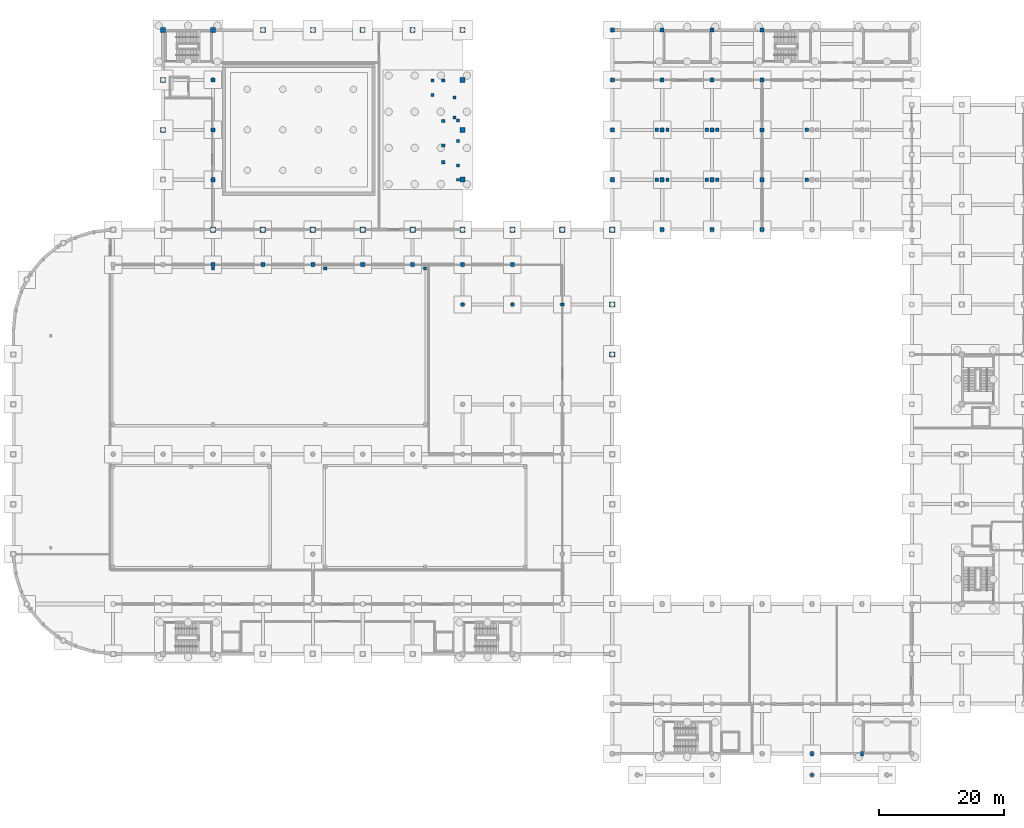
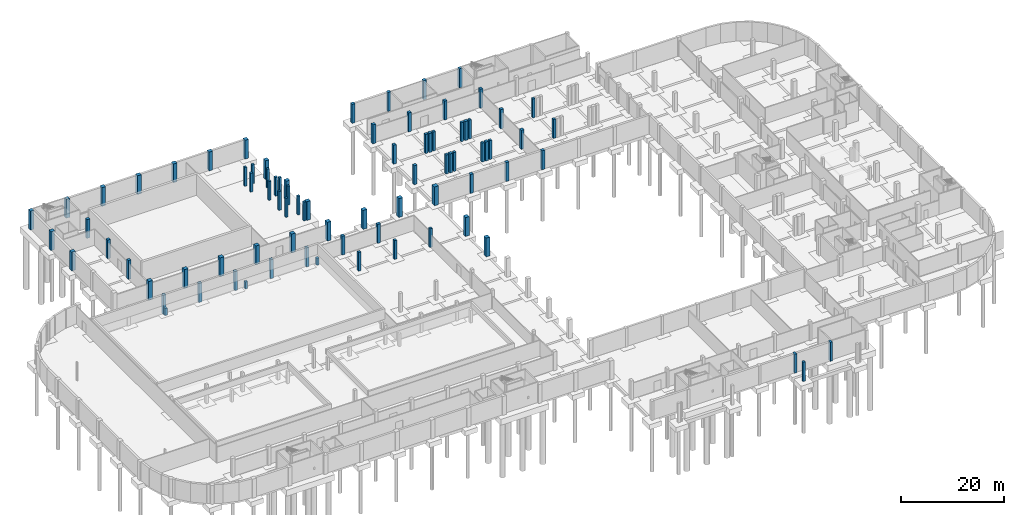
# One storey, part 12 of 29: 83 columns.
"""IFC4 building model written with IfcOpenShell, lengths in metres."""

from ifc_helpers import new_model, si_unit, direction, frame, origin, origin_2d, place, context, subcontext, project, spatial, rectangle, extrude, material, material_profile, profile_set, type_object, element, save


model = new_model("IFC4")

# Units and contexts
model_context = context("Model", 3, precision=1e-05, world=origin(), true_north=direction((0.0, 1.0)))
body_context = subcontext(model_context, "Body", "Model", "MODEL_VIEW")
ifc_project = project(units=[si_unit("LENGTHUNIT", "METRE"), si_unit("AREAUNIT", "SQUARE_METRE"), si_unit("VOLUMEUNIT", "CUBIC_METRE"), si_unit("PLANEANGLEUNIT", "RADIAN"), si_unit("MASSUNIT", "GRAM", prefix="KILO")], contexts=[model_context])

# Site, building, storey
site_placement = place(None, origin())
site = spatial("IfcSite", under=ifc_project, at=site_placement, CompositionType="ELEMENT")
building_placement = place(site_placement, origin())
building = spatial("IfcBuilding", under=site, at=building_placement, Name="Drelvana Railside Aquatics Centre", CompositionType="ELEMENT")
storey_placement = place(building_placement, frame((0.0, 0.0, -4.800048828125)))
storey = spatial("IfcBuildingStorey", under=building, at=storey_placement, Name="B1", CompositionType="ELEMENT", Elevation=-4.800048828125)

# Columns
ifc_material = material(Name="Concrete C40/50", Category="concrete")
ifc_material_profile_1 = material_profile(ifc_material, rectangle(XDim=0.449951171875, YDim=0.449951171875, at=origin_2d()), Name="RC 450x450")
ifc_profile_set_1 = profile_set([ifc_material_profile_1], Name="Concrete C40/50")
column_type_1 = type_object("IfcColumnType", Name="STR-COL-RC-450x450", PredefinedType="COLUMN", material=ifc_profile_set_1)
for number, where, z_axis, x_axis, name in (
    (1, (71.25, 92.0, 0.0), (0.0, 0.0, 1.0), (1.0, 0.0, 0.0), "Diving stair east carrier column 92.0 (B1)"),
    (2, (71.25, 94.300048828125, 0.0), (0.0, 0.0, 1.0), (1.0, 0.0, 0.0), "Diving stair east carrier column 94.3 (B1)"),
    (3, (71.25, 98.199951171875, 0.0), (0.0, 0.0, 1.0), (1.0, 0.0, 0.0), "Diving stair east carrier column 98.2 (B1)"),
    (4, (71.25, 101.5, 0.0), (0.0, 0.0, 1.0), (1.0, 0.0, 0.0), "Diving stair east carrier column 101.5 (B1)"),
):
    element("IfcColumn", number, at=place(storey_placement, frame(where, z_axis=z_axis, x_axis=x_axis)), inside=storey, type_object=column_type_1, Name=name, PredefinedType="COLUMN", context=body_context, shape_type="SweptSolid", body=[
        extrude(rectangle(XDim=0.449951171875, YDim=0.449951171875, at=origin_2d()), origin(), (0.0, 0.0, 1.0), 4.469970703125),
    ])
ifc_material_profile_2 = material_profile(ifc_material, rectangle(XDim=0.5, YDim=0.5, at=origin_2d()), Name="RC 500x500")
ifc_profile_set_2 = profile_set([ifc_material_profile_2], Name="Concrete C40/50")
column_type_2 = type_object("IfcColumnType", Name="STR-COL-RC-500x500", PredefinedType="COLUMN", material=ifc_profile_set_2)
for number, where, z_axis, x_axis, name in (
    (5, (67.199951171875, 105.60009765625, 0.0), (0.0, 0.0, 1.0), (1.0, 0.0, 0.0), "Column C-02 (B1)"),
    (6, (67.199951171875, 107.89990234375, 0.0), (0.0, 0.0, 1.0), (1.0, 0.0, 0.0), "Column C-02 (B1)"),
    (7, (68.89990234375, 101.39990234375, 0.0), (0.0, 0.0, 1.0), (1.0, 0.0, 0.0), "Column C-02 (B1)"),
    (8, (68.89990234375, 107.89990234375, 0.0), (0.0, 0.0, 1.0), (1.0, 0.0, 0.0), "Column C-02 (B1)"),
    (9, (68.89990234375, 94.800048828125, 0.0), (0.0, 0.0, 1.0), (1.0, 0.0, 0.0), "Column C-02 (B1)"),
    (10, (68.89990234375, 97.5, 0.0), (0.0, 0.0, 1.0), (1.0, 0.0, 0.0), "Column C-02 (B1)"),
    (11, (70.699951171875, 102.0, 0.0), (0.0, 0.0, 1.0), (1.0, 0.0, 0.0), "Column C-02 (B1)"),
    (12, (70.699951171875, 105.199951171875, 0.0), (0.0, 0.0, 1.0), (1.0, 0.0, 0.0), "Column C-02 (B1)"),
):
    element("IfcColumn", number, at=place(storey_placement, frame(where, z_axis=z_axis, x_axis=x_axis)), inside=storey, type_object=column_type_2, Name=name, PredefinedType="COLUMN", context=body_context, shape_type="SweptSolid", body=[
        extrude(rectangle(XDim=0.5, YDim=0.5, at=origin_2d()), origin(), (0.0, 0.0, 1.0), 4.469970703125),
    ])
column_placement = place(storey_placement, frame((128.0, -3.39990234375, 0.0), z_axis=(0.0, 0.0, 1.0), x_axis=(1.0, 0.0, 0.0)))
element("IfcColumn", 13, at=column_placement, inside=storey, type_object=column_type_2, Name="Column C-02 (B1)", PredefinedType="COLUMN", context=body_context, shape_type="SweptSolid", body=[
    extrude(rectangle(XDim=0.5, YDim=0.5, at=origin_2d()), origin(), (0.0, 0.0, 1.0), 4.590087890625),
])
for number, where, z_axis, x_axis, name in (
    (14, (32.0, 77.800048828125, 0.0), (0.0, 0.0, 1.0), (1.0, 0.0, 0.0), "Competition Pool support pier 4"),
    (15, (50.0, 77.800048828125, 0.0), (0.0, 0.0, 1.0), (1.0, 0.0, 0.0), "Competition Pool support pier 6"),
    (16, (66.0, 77.800048828125, 0.0), (0.0, 0.0, 1.0), (1.0, 0.0, 0.0), "Competition Pool support pier 8"),
):
    element("IfcColumn", number, at=place(storey_placement, frame(where, z_axis=z_axis, x_axis=x_axis)), inside=storey, type_object=column_type_2, Name=name, PredefinedType="COLUMN", context=body_context, shape_type="SweptSolid", body=[
        extrude(rectangle(XDim=0.5, YDim=0.5, at=origin_2d()), origin(), (0.0, 0.0, 1.0), 1.650146484375),
    ])
ifc_material_profile_3 = material_profile(ifc_material, rectangle(XDim=0.5, YDim=0.75, at=origin_2d()), Name="RC 500x750")
ifc_profile_set_3 = profile_set([ifc_material_profile_3], Name="Concrete C40/50")
column_type_3 = type_object("IfcColumnType", Name="STR-COL-RC-500x750", PredefinedType="COLUMN", material=ifc_profile_set_3)
for number, where, z_axis, x_axis, name in (
    (17, (128.0, 0.0, 0.0), (0.0, 0.0, 1.0), (1.0, 0.0, 0.0), "Column C-12 (B1)"),
    (18, (136.0, 0.0, 0.0), (0.0, 0.0, 1.0), (1.0, 0.0, 0.0), "Column C-12 (B1)"),
):
    element("IfcColumn", number, at=place(storey_placement, frame(where, z_axis=z_axis, x_axis=x_axis)), inside=storey, type_object=column_type_3, Name=name, PredefinedType="COLUMN", context=body_context, shape_type="SweptSolid", body=[
        extrude(rectangle(XDim=0.5, YDim=0.75, at=origin_2d()), origin(), (0.0, 0.0, 1.0), 4.5),
    ])
ifc_material_profile_4 = material_profile(ifc_material, rectangle(XDim=0.550048828125, YDim=0.550048828125, at=origin_2d()), Name="RC 550x550")
ifc_profile_set_4 = profile_set([ifc_material_profile_4], Name="Concrete C40/50")
column_type_4 = type_object("IfcColumnType", Name="STR-COL-RC-550x550", PredefinedType="COLUMN", material=ifc_profile_set_4)
for number, where, z_axis, x_axis, name in (
    (19, (72.0, 72.0, 0.0), (0.0, 0.0, 1.0), (1.0, 0.0, 0.0), "Column C-03 (B1)"),
    (20, (80.0, 72.0, 0.0), (0.0, 0.0, 1.0), (1.0, 0.0, 0.0), "Column C-03 (B1)"),
    (21, (88.0, 72.0, 0.0), (0.0, 0.0, 1.0), (1.0, 0.0, 0.0), "Column C-03 (B1)"),
):
    element("IfcColumn", number, at=place(storey_placement, frame(where, z_axis=z_axis, x_axis=x_axis)), inside=storey, type_object=column_type_4, Name=name, PredefinedType="COLUMN", context=body_context, shape_type="SweptSolid", body=[
        extrude(rectangle(XDim=0.550048828125, YDim=0.550048828125, at=origin_2d()), origin(), (0.0, 0.0, 1.0), 4.469970703125),
    ])
for number, where, z_axis, x_axis, name in (
    (22, (103.14990234375, 92.0, 0.0), (0.0, 0.0, 1.0), (1.0, 0.0, 0.0), "Core transfer pilaster C-03 #1"),
    (23, (104.85009765625, 92.0, 0.0), (0.0, 0.0, 1.0), (1.0, 0.0, 0.0), "Core transfer pilaster C-03 #2"),
    (24, (111.14990234375, 92.0, 0.0), (0.0, 0.0, 1.0), (1.0, 0.0, 0.0), "Core transfer pilaster C-03 #3"),
    (25, (112.85009765625, 92.0, 0.0), (0.0, 0.0, 1.0), (1.0, 0.0, 0.0), "Core transfer pilaster C-03 #4"),
    (26, (127.14990234375, 92.0, 0.0), (0.0, 0.0, 1.0), (1.0, 0.0, 0.0), "Core transfer pilaster C-03 #5"),
    (27, (103.14990234375, 100.0, 0.0), (0.0, 0.0, 1.0), (1.0, 0.0, 0.0), "Core transfer pilaster C-03 #9"),
    (28, (104.85009765625, 100.0, 0.0), (0.0, 0.0, 1.0), (1.0, 0.0, 0.0), "Core transfer pilaster C-03 #10"),
    (29, (111.14990234375, 100.0, 0.0), (0.0, 0.0, 1.0), (1.0, 0.0, 0.0), "Core transfer pilaster C-03 #11"),
    (30, (112.85009765625, 100.0, 0.0), (0.0, 0.0, 1.0), (1.0, 0.0, 0.0), "Core transfer pilaster C-03 #12"),
    (31, (127.14990234375, 100.0, 0.0), (0.0, 0.0, 1.0), (1.0, 0.0, 0.0), "Core transfer pilaster C-03 #13"),
):
    element("IfcColumn", number, at=place(storey_placement, frame(where, z_axis=z_axis, x_axis=x_axis)), inside=storey, type_object=column_type_4, Name=name, PredefinedType="COLUMN", context=body_context, shape_type="SweptSolid", body=[
        extrude(rectangle(XDim=0.550048828125, YDim=0.550048828125, at=origin_2d()), origin(), (0.0, 0.0, 1.0), 4.5),
    ])
ifc_material_profile_5 = material_profile(ifc_material, rectangle(XDim=0.64990234375, YDim=0.64990234375, at=origin_2d()), Name="RC 650x650")
ifc_profile_set_5 = profile_set([ifc_material_profile_5], Name="Concrete C40/50")
column_type_5 = type_object("IfcColumnType", Name="STR-COL-RC-650x650", PredefinedType="COLUMN", material=ifc_profile_set_5)
for number, where, z_axis, x_axis, name in (
    (32, (32.0, 78.39990234375, 0.0), (0.0, 0.0, 1.0), (1.0, 0.0, 0.0), "Column C-05 (B1)"),
    (33, (40.0, 78.39990234375, 0.0), (0.0, 0.0, 1.0), (1.0, 0.0, 0.0), "Column C-05 (B1)"),
    (34, (48.0, 78.39990234375, 0.0), (0.0, 0.0, 1.0), (1.0, 0.0, 0.0), "Column C-05 (B1)"),
    (35, (56.0, 78.39990234375, 0.0), (0.0, 0.0, 1.0), (1.0, 0.0, 0.0), "Column C-05 (B1)"),
    (36, (64.0, 78.39990234375, 0.0), (0.0, 0.0, 1.0), (1.0, 0.0, 0.0), "Column C-05 (B1)"),
    (37, (72.0, 78.39990234375, 0.0), (0.0, 0.0, 1.0), (1.0, 0.0, 0.0), "Column C-05 (B1)"),
    (38, (80.0, 78.39990234375, 0.0), (0.0, 0.0, 1.0), (1.0, 0.0, 0.0), "Column C-05 (B1)"),
    (39, (32.0, 92.0, 0.0), (0.0, 0.0, 1.0), (1.0, 0.0, 0.0), "Column C-05 (B1)"),
    (40, (32.0, 100.0, 0.0), (0.0, 0.0, 1.0), (1.0, 0.0, 0.0), "Column C-05 (B1)"),
    (41, (32.0, 108.0, 0.0), (0.0, 0.0, 1.0), (1.0, 0.0, 0.0), "Column C-05 (B1)"),
):
    element("IfcColumn", number, at=place(storey_placement, frame(where, z_axis=z_axis, x_axis=x_axis)), inside=storey, type_object=column_type_5, Name=name, PredefinedType="COLUMN", context=body_context, shape_type="SweptSolid", body=[
        extrude(rectangle(XDim=0.64990234375, YDim=0.64990234375, at=origin_2d()), origin(), (0.0, 0.0, 1.0), 4.469970703125),
    ])
for number, where, z_axis, x_axis, name in (
    (42, (96.0, 92.0, 0.0), (0.0, 0.0, 1.0), (1.0, 0.0, 0.0), "Column C-05 (B1)"),
    (43, (96.0, 100.0, 0.0), (0.0, 0.0, 1.0), (1.0, 0.0, 0.0), "Column C-05 (B1)"),
    (44, (96.0, 108.0, 0.0), (0.0, 0.0, 1.0), (1.0, 0.0, 0.0), "Column C-05 (B1)"),
    (45, (96.0, 116.0, 0.0), (0.0, 0.0, 1.0), (1.0, 0.0, 0.0), "Column C-05 (B1)"),
    (46, (104.0, 84.0, 0.0), (0.0, 0.0, 1.0), (1.0, 0.0, 0.0), "Column C-05 (B1)"),
    (47, (104.0, 92.0, 0.0), (0.0, 0.0, 1.0), (1.0, 0.0, 0.0), "Column C-05 (B1)"),
    (48, (104.0, 100.0, 0.0), (0.0, 0.0, 1.0), (1.0, 0.0, 0.0), "Column C-05 (B1)"),
    (49, (104.0, 108.0, 0.0), (0.0, 0.0, 1.0), (1.0, 0.0, 0.0), "Column C-05 (B1)"),
    (50, (104.0, 116.0, 0.0), (0.0, 0.0, 1.0), (1.0, 0.0, 0.0), "Column C-05 (B1)"),
    (51, (112.0, 84.0, 0.0), (0.0, 0.0, 1.0), (1.0, 0.0, 0.0), "Column C-05 (B1)"),
    (52, (112.0, 92.0, 0.0), (0.0, 0.0, 1.0), (1.0, 0.0, 0.0), "Column C-05 (B1)"),
    (53, (112.0, 100.0, 0.0), (0.0, 0.0, 1.0), (1.0, 0.0, 0.0), "Column C-05 (B1)"),
    (54, (112.0, 108.0, 0.0), (0.0, 0.0, 1.0), (1.0, 0.0, 0.0), "Column C-05 (B1)"),
    (55, (112.0, 116.0, 0.0), (0.0, 0.0, 1.0), (1.0, 0.0, 0.0), "Column C-05 (B1)"),
    (56, (120.0, 84.0, 0.0), (0.0, 0.0, 1.0), (1.0, 0.0, 0.0), "Column C-05 (B1)"),
    (57, (120.0, 92.0, 0.0), (0.0, 0.0, 1.0), (1.0, 0.0, 0.0), "Column C-05 (B1)"),
    (58, (120.0, 100.0, 0.0), (0.0, 0.0, 1.0), (1.0, 0.0, 0.0), "Column C-05 (B1)"),
    (59, (120.0, 108.0, 0.0), (0.0, 0.0, 1.0), (1.0, 0.0, 0.0), "Column C-05 (B1)"),
    (60, (120.0, 116.0, 0.0), (0.0, 0.0, 1.0), (1.0, 0.0, 0.0), "Column C-05 (B1)"),
):
    element("IfcColumn", number, at=place(storey_placement, frame(where, z_axis=z_axis, x_axis=x_axis)), inside=storey, type_object=column_type_5, Name=name, PredefinedType="COLUMN", context=body_context, shape_type="SweptSolid", body=[
        extrude(rectangle(XDim=0.64990234375, YDim=0.64990234375, at=origin_2d()), origin(), (0.0, 0.0, 1.0), 4.5),
    ])
ifc_material_profile_6 = material_profile(ifc_material, rectangle(XDim=0.800048828125, YDim=0.800048828125, at=origin_2d()), Name="RC 800x800")
ifc_profile_set_6 = profile_set([ifc_material_profile_6], Name="Concrete C40/50")
column_type_6 = type_object("IfcColumnType", Name="STR-COL-RC-800x800", PredefinedType="COLUMN", material=ifc_profile_set_6)
for number, where, z_axis, x_axis, name in (
    (61, (24.0, 116.0, 0.0), (0.0, 0.0, 1.0), (1.0, 0.0, 0.0), "Column C-08 (B1)"),
    (62, (32.0, 116.0, 0.0), (0.0, 0.0, 1.0), (1.0, 0.0, 0.0), "Column C-08 (B1)"),
    (63, (40.0, 116.0, 0.0), (0.0, 0.0, 1.0), (1.0, 0.0, 0.0), "Column C-08 (B1)"),
    (64, (48.0, 116.0, 0.0), (0.0, 0.0, 1.0), (1.0, 0.0, 0.0), "Column C-08 (B1)"),
    (65, (56.0, 116.0, 0.0), (0.0, 0.0, 1.0), (1.0, 0.0, 0.0), "Column C-08 (B1)"),
    (66, (64.0, 116.0, 0.0), (0.0, 0.0, 1.0), (1.0, 0.0, 0.0), "Column C-08 (B1)"),
    (67, (72.0, 116.0, 0.0), (0.0, 0.0, 1.0), (1.0, 0.0, 0.0), "Column C-08 (B1)"),
    (68, (72.0, 92.0, 0.0), (0.0, 0.0, 1.0), (1.0, 0.0, 0.0), "Column C-08 (B1)"),
    (69, (24.0, 100.0, 0.0), (0.0, 0.0, 1.0), (1.0, 0.0, 0.0), "Column C-08 (B1)"),
    (70, (72.0, 100.0, 0.0), (0.0, 0.0, 1.0), (1.0, 0.0, 0.0), "Column C-08 (B1)"),
    (71, (24.0, 108.0, 0.0), (0.0, 0.0, 1.0), (1.0, 0.0, 0.0), "Column C-08 (B1)"),
    (72, (72.0, 108.0, 0.0), (0.0, 0.0, 1.0), (1.0, 0.0, 0.0), "Column C-08 (B1)"),
):
    element("IfcColumn", number, at=place(storey_placement, frame(where, z_axis=z_axis, x_axis=x_axis)), inside=storey, type_object=column_type_6, Name=name, PredefinedType="COLUMN", context=body_context, shape_type="SweptSolid", body=[
        extrude(rectangle(XDim=0.800048828125, YDim=0.800048828125, at=origin_2d()), origin(), (0.0, 0.0, 1.0), 4.469970703125),
    ])
ifc_material_profile_7 = material_profile(ifc_material, rectangle(XDim=0.85009765625, YDim=0.85009765625, at=origin_2d()), Name="RC 850x850")
ifc_profile_set_7 = profile_set([ifc_material_profile_7], Name="Concrete C40/50")
column_type_7 = type_object("IfcColumnType", Name="STR-COL-RC-850x850", PredefinedType="COLUMN", material=ifc_profile_set_7)
for number, where, z_axis, x_axis, name in (
    (73, (32.0, 84.0, 0.0), (0.0, 0.0, 1.0), (1.0, 0.0, 0.0), "Column C-09 (B1)"),
    (74, (40.0, 84.0, 0.0), (0.0, 0.0, 1.0), (1.0, 0.0, 0.0), "Column C-09 (B1)"),
    (75, (56.0, 84.0, 0.0), (0.0, 0.0, 1.0), (1.0, 0.0, 0.0), "Column C-09 (B1)"),
    (76, (64.0, 84.0, 0.0), (0.0, 0.0, 1.0), (1.0, 0.0, 0.0), "Column C-09 (B1)"),
    (77, (72.0, 84.0, 0.0), (0.0, 0.0, 1.0), (1.0, 0.0, 0.0), "Column C-09 (B1)"),
    (78, (80.0, 84.0, 0.0), (0.0, 0.0, 1.0), (1.0, 0.0, 0.0), "Column C-09 (B1)"),
    (79, (88.0, 84.0, 0.0), (0.0, 0.0, 1.0), (1.0, 0.0, 0.0), "Column C-09 (B1)"),
    (80, (96.0, 64.0, 0.0), (0.0, 0.0, 1.0), (1.0, 0.0, 0.0), "Column C-09 (B1)"),
    (81, (96.0, 72.0, 0.0), (0.0, 0.0, 1.0), (1.0, 0.0, 0.0), "Column C-09 (B1)"),
):
    element("IfcColumn", number, at=place(storey_placement, frame(where, z_axis=z_axis, x_axis=x_axis)), inside=storey, type_object=column_type_7, Name=name, PredefinedType="COLUMN", context=body_context, shape_type="SweptSolid", body=[
        extrude(rectangle(XDim=0.85009765625, YDim=0.85009765625, at=origin_2d()), origin(), (0.0, 0.0, 1.0), 4.469970703125),
    ])
ifc_material_profile_8 = material_profile(ifc_material, rectangle(XDim=0.89990234375, YDim=0.89990234375, at=origin_2d()), Name="RC 900x900")
ifc_profile_set_8 = profile_set([ifc_material_profile_8], Name="Concrete C40/50")
column_type_8 = type_object("IfcColumnType", Name="STR-COL-RC-900x900", PredefinedType="COLUMN", material=ifc_profile_set_8)
for number, where, z_axis, x_axis, name in (
    (82, (48.0, 84.0, 0.0), (0.0, 0.0, 1.0), (1.0, 0.0, 0.0), "Column C-10 (B1)"),
    (83, (96.0, 84.0, 0.0), (0.0, 0.0, 1.0), (1.0, 0.0, 0.0), "Column C-10 (B1)"),
):
    element("IfcColumn", number, at=place(storey_placement, frame(where, z_axis=z_axis, x_axis=x_axis)), inside=storey, type_object=column_type_8, Name=name, PredefinedType="COLUMN", context=body_context, shape_type="SweptSolid", body=[
        extrude(rectangle(XDim=0.89990234375, YDim=0.89990234375, at=origin_2d()), origin(), (0.0, 0.0, 1.0), 4.469970703125),
    ])

save(model, "model.ifc")
